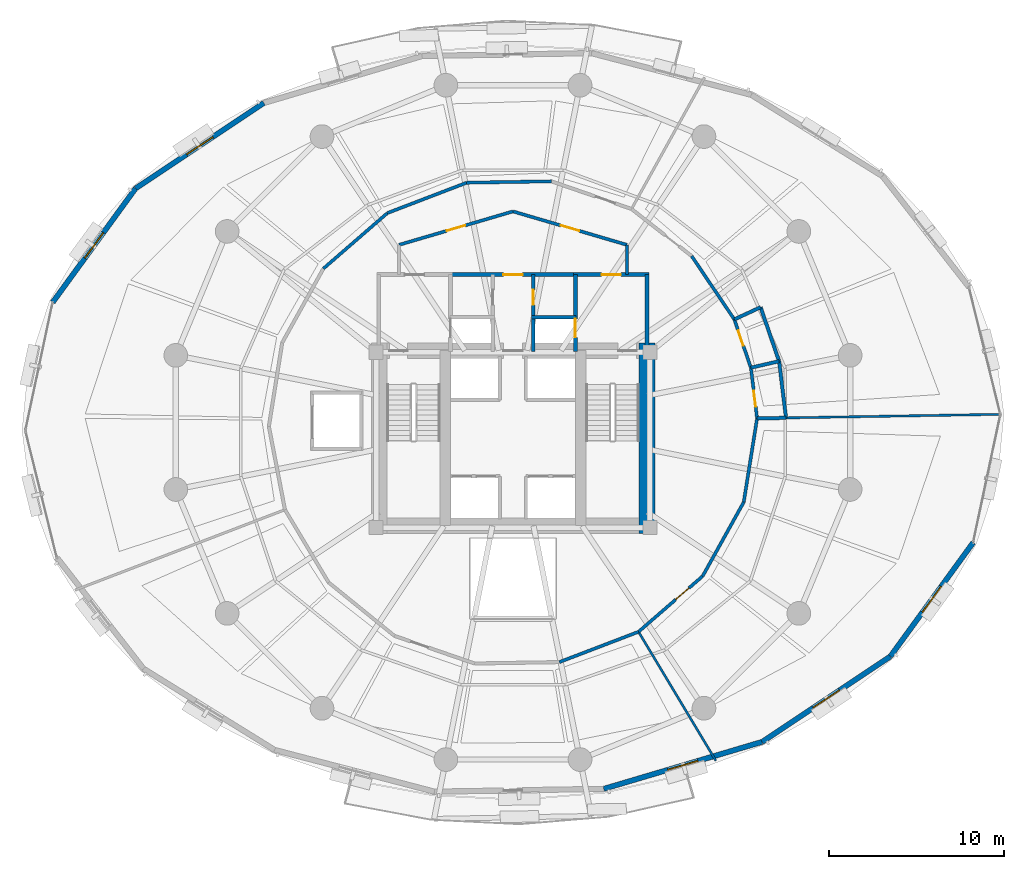
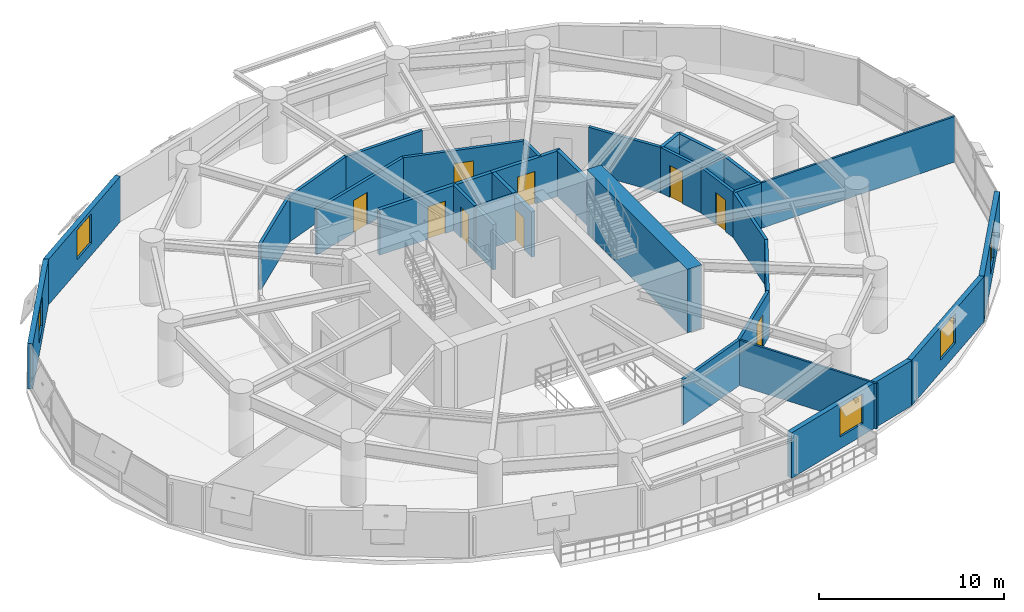
# One storey, part 13 of 17: 32 walls, 9 doors, 5 windows, 14 openings.
"""IFC4 building model written with IfcOpenShell, lengths in metres."""

from ifc_helpers import new_model, si_unit, direction, frame, frame_2d, origin, place, context, subcontext, project, spatial, rectangle, extrude, material, layer, layer_set, type_object, element, fill, save


model = new_model("IFC4")

# Units and contexts
model_context = context("Model", 3, precision=1e-05, world=origin(), true_north=direction((0.0, 1.0)))
body_context = subcontext(model_context, "Body", "Model", "MODEL_VIEW")
ifc_project = project(units=[si_unit("LENGTHUNIT", "METRE"), si_unit("AREAUNIT", "SQUARE_METRE"), si_unit("VOLUMEUNIT", "CUBIC_METRE"), si_unit("PLANEANGLEUNIT", "RADIAN"), si_unit("MASSUNIT", "GRAM", prefix="KILO"), si_unit("THERMODYNAMICTEMPERATUREUNIT", "KELVIN"), si_unit("POWERUNIT", "WATT")], contexts=[model_context])

# Site, building, storey
site_placement = place(None, origin())
site = spatial("IfcSite", under=ifc_project, at=site_placement, CompositionType="ELEMENT")
building_placement = place(site_placement, origin())
building = spatial("IfcBuilding", under=site, at=building_placement, Name="Ocrelia Relay Tower", CompositionType="ELEMENT")
storey_placement = place(building_placement, frame((0.0, 0.0, 34.199951171875)))
storey = spatial("IfcBuildingStorey", under=building, at=storey_placement, Name="L07", CompositionType="ELEMENT", Elevation=34.199951171875)

# Walls
ifc_material_1 = material(Name="Concrete C70/85", Category="concrete")
ifc_layer_1 = layer(ifc_material_1, 0.89990234375, Name="Concrete C70/85")
ifc_layer_set_1 = layer_set([ifc_layer_1], Name="Concrete C70/85")
wall_type_1 = type_object("IfcWallType", Name="CW-CORE-900", PredefinedType="SHEAR", material=ifc_layer_set_1)
wall_1_placement = place(storey_placement, frame((41.637939453125, 19.662109375, 0.0), z_axis=(0.0, 0.0, 1.0), x_axis=(0.0, 1.0, 0.0)))
element("IfcWall", 1, at=wall_1_placement, inside=storey, type_object=wall_type_1, Name="L07 Core Shear Wall E", PredefinedType="SHEAR", context=body_context, shape_type="SweptSolid", body=[
    extrude(rectangle(XDim=10.8759765625, YDim=0.89990234375, at=frame_2d((5.43798828125, 0.0))), origin(), (0.0, 0.0, 1.0), 4.199951171875),
])
ifc_material_2 = material(Name="Gypsum Fireboard Partition EI60", Category="gypsum")
ifc_layer_2 = layer(ifc_material_2, 0.179931640625, Name="Gypsum Fireboard Partition EI60")
ifc_layer_set_2 = layer_set([ifc_layer_2], Name="Gypsum Fireboard Partition EI60")
wall_type_2 = type_object("IfcWallType", Name="W-CORR-EI60-180", PredefinedType="PARTITIONING", material=ifc_layer_set_2)
wall_2_placement = place(storey_placement, frame((40.5, 36.122802734375, 0.0), z_axis=(0.0, 0.0, 1.0), x_axis=(0.0, -1.0, 0.0)))
element("IfcWall", 2, at=wall_2_placement, inside=storey, type_object=wall_type_2, Name="L07 Smoke Lobby East Return", PredefinedType="PARTITIONING", context=body_context, shape_type="SweptSolid", body=[
    extrude(rectangle(XDim=1.69287109375, YDim=0.179931640625, at=frame_2d((0.846435546875, 0.0))), origin(), (0.0, 0.0, 1.0), 3.0),
])

# Wall, opening, door
wall_3_placement = place(storey_placement, frame((27.5, 36.122802734375, 0.0), z_axis=(0.0, 0.0, 1.0), x_axis=(0.959546654541, 0.281549671923, 0.0)))
wall_3 = element("IfcWall", 3, at=wall_3_placement, inside=storey, type_object=wall_type_2, Name="L07 North Smoke Lobby W Screen Wall", PredefinedType="PARTITIONING", context=body_context, shape_type="SweptSolid", body=[
    extrude(rectangle(XDim=6.77392578125, YDim=0.179931640625, at=frame_2d((3.386962890625, 0.0))), origin(), (0.0, 0.0, 1.0), 3.0),
])
opening_1_placement = place(wall_3_placement, frame((2.8369140625, 0.0, 0.0)))
opening_1 = element("IfcOpeningElement", 4, at=opening_1_placement, cuts=wall_3, Name="Opening D-FD60", PredefinedType="OPENING", context=body_context, shape_type="SweptSolid", body=[
    extrude(rectangle(XDim=1.10009765625, YDim=2.14990234375, at=frame_2d((0.550048828125, 1.074951171875))), frame((0.0, 0.10009765625, 0.0), z_axis=(0.0, -1.0, 0.0), x_axis=(1.0, 0.0, 0.0)), (0.0, 0.0, 1.0), 0.199951171875),
])
ifc_material_3 = material(Name="Timber-core 60-min acoustic fire door", Category="wood")
door_type_1 = type_object("IfcDoorType", Name="DR-LOBBY-FD60-1100", OperationType="NOTDEFINED", PredefinedType="DOOR", material=ifc_material_3)
door_1_placement = place(opening_1_placement, origin())
door_1 = element("IfcDoor", 5, at=door_1_placement, inside=storey, type_object=door_type_1, Name="L07 North Smoke Lobby W Fire Door", OperationType="SINGLE_SWING_RIGHT", OverallHeight=2.14990234375, OverallWidth=1.10009765625, PredefinedType="DOOR", context=body_context, shape_type="SweptSolid", body=[
    extrude(rectangle(XDim=1.10009765625, YDim=2.14990234375, at=frame_2d((0.550048828125, 1.074951171875))), frame((0.0, 0.02490234375, 0.0), z_axis=(0.0, -1.0, 0.0), x_axis=(1.0, 0.0, 0.0)), (0.0, 0.0, 1.0), 0.050048828125),
])
fill(opening_1, door_1)

wall_4_placement = place(storey_placement, frame((34.0, 38.030029296875, 0.0), z_axis=(0.0, 0.0, 1.0), x_axis=(0.959546654541, -0.281549671923, 0.0)))
wall_4 = element("IfcWall", 6, at=wall_4_placement, inside=storey, type_object=wall_type_2, Name="L07 North Smoke Lobby E Screen Wall", PredefinedType="PARTITIONING", context=body_context, shape_type="SweptSolid", body=[
    extrude(rectangle(XDim=6.77392578125, YDim=0.179931640625, at=frame_2d((3.386962890625, 0.0))), origin(), (0.0, 0.0, 1.0), 3.0),
])
opening_2_placement = place(wall_4_placement, frame((2.8369140625, 0.0, 0.0)))
opening_2 = element("IfcOpeningElement", 7, at=opening_2_placement, cuts=wall_4, Name="Opening D-FD60", PredefinedType="OPENING", context=body_context, shape_type="SweptSolid", body=[
    extrude(rectangle(XDim=1.10009765625, YDim=2.14990234375, at=frame_2d((0.550048828125, 1.074951171875))), frame((0.0, 0.10009765625, 0.0), z_axis=(0.0, -1.0, 0.0), x_axis=(1.0, 0.0, 0.0)), (0.0, 0.0, 1.0), 0.199951171875),
])
door_2_placement = place(opening_2_placement, origin())
door_2 = element("IfcDoor", 8, at=door_2_placement, inside=storey, type_object=door_type_1, Name="L07 North Smoke Lobby E Fire Door", OperationType="SINGLE_SWING_LEFT", OverallHeight=2.14990234375, OverallWidth=1.10009765625, PredefinedType="DOOR", context=body_context, shape_type="SweptSolid", body=[
    extrude(rectangle(XDim=1.10009765625, YDim=2.14990234375, at=frame_2d((0.550048828125, 1.074951171875))), frame((0.0, 0.02490234375, 0.0), z_axis=(0.0, -1.0, 0.0), x_axis=(1.0, 0.0, 0.0)), (0.0, 0.0, 1.0), 0.050048828125),
])
fill(opening_2, door_2)

wall_5_placement = place(storey_placement, frame((47.918212890625, 26.230712890625, 0.0), z_axis=(0.0, 0.0, 1.0), x_axis=(-0.121060424007, 0.992645139886, 0.0)))
wall_5 = element("IfcWall", 9, at=wall_5_placement, inside=storey, type_object=wall_type_2, Name="L07 Staff Toilet Corridor Wall", PredefinedType="PARTITIONING", context=body_context, shape_type="SweptSolid", body=[
    extrude(rectangle(XDim=2.91015625, YDim=0.179931640625, at=frame_2d((1.455078125, 0.0))), origin(), (0.0, 0.0, 1.0), 3.0),
])
opening_3_placement = place(wall_5_placement, frame((0.6689453125, 0.0, 0.0)))
opening_3 = element("IfcOpeningElement", 10, at=opening_3_placement, cuts=wall_5, Name="Opening D-WC92", PredefinedType="OPENING", context=body_context, shape_type="SweptSolid", body=[
    extrude(rectangle(XDim=0.919921875, YDim=2.10009765625, at=frame_2d((0.4599609375, 1.050048828125))), frame((0.0, 0.10009765625, 0.0), z_axis=(0.0, -1.0, 0.0), x_axis=(1.0, 0.0, 0.0)), (0.0, 0.0, 1.0), 0.199951171875),
])
ifc_material_4 = material(Name="Laminate washroom door", Category="wood")
door_type_2 = type_object("IfcDoorType", Name="DR-WC-920", OperationType="NOTDEFINED", PredefinedType="DOOR", material=ifc_material_4)
door_3_placement = place(opening_3_placement, origin())
door_3 = element("IfcDoor", 11, at=door_3_placement, inside=storey, type_object=door_type_2, Name="L07 Staff Toilet Door", OperationType="SINGLE_SWING_RIGHT", OverallHeight=2.10009765625, OverallWidth=0.919921875, PredefinedType="DOOR", context=body_context, shape_type="SweptSolid", body=[
    extrude(rectangle(XDim=0.919921875, YDim=2.10009765625, at=frame_2d((0.4599609375, 1.050048828125))), frame((0.0, 0.02490234375, 0.0), z_axis=(0.0, -1.0, 0.0), x_axis=(1.0, 0.0, 0.0)), (0.0, 0.0, 1.0), 0.050048828125),
])
fill(opening_3, door_3)

wall_6_placement = place(storey_placement, frame((47.56591796875, 29.119384765625, 0.0), z_axis=(0.0, 0.0, 1.0), x_axis=(-0.324746817111, 0.945800985819, 0.0)))
wall_6 = element("IfcWall", 12, at=wall_6_placement, inside=storey, type_object=wall_type_2, Name="L07 Accessible Toilet Corridor Wall", PredefinedType="PARTITIONING", context=body_context, shape_type="SweptSolid", body=[
    extrude(rectangle(XDim=2.91015625, YDim=0.179931640625, at=frame_2d((1.455078125, 0.0))), origin(), (0.0, 0.0, 1.0), 3.0),
])
opening_4_placement = place(wall_6_placement, frame((1.321044921875, 0.0, 0.0)))
opening_4 = element("IfcOpeningElement", 13, at=opening_4_placement, cuts=wall_6, Name="Opening D-WC92", PredefinedType="OPENING", context=body_context, shape_type="SweptSolid", body=[
    extrude(rectangle(XDim=0.919921875, YDim=2.10009765625, at=frame_2d((0.4599609375, 1.050048828125))), frame((0.0, 0.10009765625, 0.0), z_axis=(0.0, -1.0, 0.0), x_axis=(1.0, 0.0, 0.0)), (0.0, 0.0, 1.0), 0.199951171875),
])
door_4_placement = place(opening_4_placement, origin())
door_4 = element("IfcDoor", 14, at=door_4_placement, inside=storey, type_object=door_type_2, Name="L07 Accessible Toilet Door", OperationType="SINGLE_SWING_LEFT", OverallHeight=2.10009765625, OverallWidth=0.919921875, PredefinedType="DOOR", context=body_context, shape_type="SweptSolid", body=[
    extrude(rectangle(XDim=0.919921875, YDim=2.10009765625, at=frame_2d((0.4599609375, 1.050048828125))), frame((0.0, 0.02490234375, 0.0), z_axis=(0.0, -1.0, 0.0), x_axis=(1.0, 0.0, 0.0)), (0.0, 0.0, 1.0), 0.050048828125),
])
fill(opening_4, door_4)

# Walls
wall_7_placement = place(storey_placement, frame((46.620849609375, 31.871826171875, 0.0), z_axis=(0.0, 0.0, 1.0), x_axis=(-0.558446106931, 0.829540804092, 0.0)))
element("IfcWall", 15, at=wall_7_placement, inside=storey, type_object=wall_type_2, Name="L07 Operations Control Office Corridor Partition 1", PredefinedType="PARTITIONING", context=body_context, shape_type="SweptSolid", body=[
    extrude(rectangle(XDim=4.355224609375, YDim=0.179931640625, at=frame_2d((2.177734375, 0.0))), origin(), (0.0, 0.0, 1.0), 3.0),
])
for number, where, z_axis, x_axis, name in (
    (16, (36.189697265625, 39.74658203125, 0.0), (0.0, 0.0, 1.0), (-0.99986280389, -0.016564220399, 0.0), "L07 Colocation Data Hall A Corridor Partition 2"),
    (17, (31.35595703125, 39.66650390625, 0.0), (0.0, 0.0, 1.0), (-0.93389765602, -0.35754044258, 0.0), "L07 Colocation Data Hall A Corridor Partition 3"),
    (18, (26.841064453125, 37.93798828125, 0.0), (0.0, 0.0, 1.0), (-0.75528570448, -0.655395685527, 0.0), "L07 Colocation Data Hall A Corridor Partition 4"),
    (19, (36.64404296875, 12.33349609375, 0.0), (0.0, 0.0, 1.0), (0.93389765602, 0.35754044258, 0.0), "L07 Hardware Testing Laboratory Corridor Partition 5"),
):
    element("IfcWall", number, at=place(storey_placement, frame(where, z_axis=z_axis, x_axis=x_axis)), inside=storey, type_object=wall_type_2, Name=name, PredefinedType="PARTITIONING", context=body_context, shape_type="SweptSolid", body=[
        extrude(rectangle(XDim=4.83447265625, YDim=0.179931640625, at=frame_2d((2.417236328125, 0.0))), origin(), (0.0, 0.0, 1.0), 3.0),
    ])

# Wall, opening, door
wall_8_placement = place(storey_placement, frame((41.158935546875, 14.06201171875, 0.0), z_axis=(0.0, 0.0, 1.0), x_axis=(0.75528570448, 0.655395685527, 0.0)))
wall_8 = element("IfcWall", 20, at=wall_8_placement, inside=storey, type_object=wall_type_2, Name="L07 Telemetry Operations Studio Corridor Partition 1", PredefinedType="PARTITIONING", context=body_context, shape_type="SweptSolid", body=[
    extrude(rectangle(XDim=4.83447265625, YDim=0.179931640625, at=frame_2d((2.417236328125, 0.0))), origin(), (0.0, 0.0, 1.0), 3.0),
])
opening_5_placement = place(wall_8_placement, frame((2.80078125, 0.0, 0.0)))
opening_5 = element("IfcOpeningElement", 21, at=opening_5_placement, cuts=wall_8, Name="Opening D-RM100", PredefinedType="OPENING", context=body_context, shape_type="SweptSolid", body=[
    extrude(rectangle(XDim=1.0, YDim=2.14990234375, at=frame_2d((0.5, 1.074951171875))), frame((0.0, 0.10009765625, 0.0), z_axis=(0.0, -1.0, 0.0), x_axis=(1.0, 0.0, 0.0)), (0.0, 0.0, 1.0), 0.199951171875),
])
ifc_material_5 = material(Name="Acoustic oak veneer fire door", Category="wood")
door_type_3 = type_object("IfcDoorType", Name="DR-ROOM-FD60-1000", OperationType="NOTDEFINED", PredefinedType="DOOR", material=ifc_material_5)
door_5_placement = place(opening_5_placement, origin())
door_5 = element("IfcDoor", 22, at=door_5_placement, inside=storey, type_object=door_type_3, Name="L07 Telemetry Operations Studio Entrance Door", OperationType="SINGLE_SWING_LEFT", OverallHeight=2.14990234375, OverallWidth=1.0, PredefinedType="DOOR", context=body_context, shape_type="SweptSolid", body=[
    extrude(rectangle(XDim=1.0, YDim=2.14990234375, at=frame_2d((0.5, 1.074951171875))), frame((0.0, 0.02490234375, 0.0), z_axis=(0.0, -1.0, 0.0), x_axis=(1.0, 0.0, 0.0)), (0.0, 0.0, 1.0), 0.050048828125),
])
fill(opening_5, door_5)

# Walls
wall_9_placement = place(storey_placement, frame((44.810302734375, 17.23046875, 0.0), z_axis=(0.0, 0.0, 1.0), x_axis=(0.48557861103, 0.874193006441, 0.0)))
element("IfcWall", 23, at=wall_9_placement, inside=storey, type_object=wall_type_2, Name="L07 Telemetry Operations Studio Corridor Partition 2", PredefinedType="PARTITIONING", context=body_context, shape_type="SweptSolid", body=[
    extrude(rectangle(XDim=4.834228515625, YDim=0.179931640625, at=frame_2d((2.4169921875, 0.0))), origin(), (0.0, 0.0, 1.0), 3.0),
])
wall_10_placement = place(storey_placement, frame((47.15771484375, 21.45654296875, 0.0), z_axis=(0.0, 0.0, 1.0), x_axis=(0.15731094414, 0.987549121236, 0.0)))
element("IfcWall", 24, at=wall_10_placement, inside=storey, type_object=wall_type_2, Name="L07 Telemetry Operations Studio Corridor Partition 3", PredefinedType="PARTITIONING", context=body_context, shape_type="SweptSolid", body=[
    extrude(rectangle(XDim=4.83447265625, YDim=0.179931640625, at=frame_2d((2.417236328125, 0.0))), origin(), (0.0, 0.0, 1.0), 3.0),
])

# Wall, opening, window
ifc_material_6 = material(Name="Precast concrete C40/50 with oxide terracotta", Category="masonry")
ifc_layer_3 = layer(ifc_material_6, 0.300048828125, Name="Precast concrete C40/50 with oxide terracotta")
ifc_layer_set_3 = layer_set([ifc_layer_3], Name="Precast concrete C40/50 with oxide terracotta")
wall_type_3 = type_object("IfcWallType", Name="W-EXT-TERR-300", PredefinedType="SOLIDWALL", material=ifc_layer_set_3)
wall_11_placement = place(storey_placement, frame((19.796142578125, 44.21337890625, 0.0), z_axis=(0.0, 0.0, 1.0), x_axis=(-0.832075923979, -0.554661749839, 0.0)))
wall_11 = element("IfcWall", 25, at=wall_11_placement, inside=storey, type_object=wall_type_3, Name="L07 Oxide Terracotta Facade Wall 07", PredefinedType="SOLIDWALL", context=body_context, shape_type="SweptSolid", body=[
    extrude(rectangle(XDim=8.792724609375, YDim=0.300048828125, at=frame_2d((4.396484375, 0.0))), origin(), (0.0, 0.0, 1.0), 3.0),
])
opening_6_placement = place(wall_11_placement, frame((3.49609375, 0.0, 0.800048828125)))
opening_6 = element("IfcOpeningElement", 26, at=opening_6_placement, cuts=wall_11, Name="Opening W-02", PredefinedType="OPENING", context=body_context, shape_type="SweptSolid", body=[
    extrude(rectangle(XDim=1.800048828125, YDim=1.949951171875, at=frame_2d((0.89990234375, 0.97509765625))), frame((0.0, 0.16015625, 0.0), z_axis=(0.0, -1.0, 0.0), x_axis=(1.0, 0.0, 0.0)), (0.0, 0.0, 1.0), 0.320068359375),
])
ifc_material_7 = material(Name="Clear double-glazed low-E glass", Category="glass")
window_type = type_object("IfcWindowType", Name="WIN-Z1-1800x2100", PartitioningType="DOUBLE_PANEL_VERTICAL", PredefinedType="WINDOW", material=ifc_material_7)
window_1_placement = place(opening_6_placement, origin())
window_1 = element("IfcWindow", 27, at=window_1_placement, inside=storey, type_object=window_type, Name="L07 Facade Module Window 07", OverallHeight=1.949951171875, OverallWidth=1.800048828125, PartitioningType="SINGLE_PANEL", PredefinedType="WINDOW", context=body_context, shape_type="SweptSolid", body=[
    extrude(rectangle(XDim=1.800048828125, YDim=1.949951171875, at=frame_2d((0.89990234375, 0.97509765625))), frame((0.0, 0.030029296875, 0.0), z_axis=(0.0, -1.0, 0.0), x_axis=(1.0, 0.0, 0.0)), (0.0, 0.0, 1.0), 0.06005859375),
])
fill(opening_6, window_1)

wall_12_placement = place(storey_placement, frame((12.47998046875, 39.33642578125, 0.0), z_axis=(0.0, 0.0, 1.0), x_axis=(-0.588470254448, -0.808518867826, 0.0)))
wall_12 = element("IfcWall", 28, at=wall_12_placement, inside=storey, type_object=wall_type_3, Name="L07 Oxide Terracotta Facade Wall 08", PredefinedType="SOLIDWALL", context=body_context, shape_type="SweptSolid", body=[
    extrude(rectangle(XDim=8.021484375, YDim=0.300048828125, at=frame_2d((4.0107421875, 0.0))), origin(), (0.0, 0.0, 1.0), 3.0),
])
opening_7_placement = place(wall_12_placement, frame((3.111083984375, 0.0, 0.800048828125)))
opening_7 = element("IfcOpeningElement", 29, at=opening_7_placement, cuts=wall_12, Name="Opening W-02", PredefinedType="OPENING", context=body_context, shape_type="SweptSolid", body=[
    extrude(rectangle(XDim=1.800048828125, YDim=1.949951171875, at=frame_2d((0.89990234375, 0.97509765625))), frame((0.0, 0.16015625, 0.0), z_axis=(0.0, -1.0, 0.0), x_axis=(1.0, 0.0, 0.0)), (0.0, 0.0, 1.0), 0.320068359375),
])
window_2_placement = place(opening_7_placement, origin())
window_2 = element("IfcWindow", 30, at=window_2_placement, inside=storey, type_object=window_type, Name="L07 Facade Module Window 08", OverallHeight=1.949951171875, OverallWidth=1.800048828125, PartitioningType="SINGLE_PANEL", PredefinedType="WINDOW", context=body_context, shape_type="SweptSolid", body=[
    extrude(rectangle(XDim=1.800048828125, YDim=1.949951171875, at=frame_2d((0.89990234375, 0.97509765625))), frame((0.0, 0.030029296875, 0.0), z_axis=(0.0, -1.0, 0.0), x_axis=(1.0, 0.0, 0.0)), (0.0, 0.0, 1.0), 0.06005859375),
])
fill(opening_7, window_2)

wall_13_placement = place(storey_placement, frame((39.174560546875, 5.1064453125, 0.0), z_axis=(0.0, 0.0, 1.0), x_axis=(0.958658357461, 0.284559578418, 0.0)))
wall_13 = element("IfcWall", 31, at=wall_13_placement, inside=storey, type_object=wall_type_3, Name="L07 Oxide Terracotta Facade Wall 15", PredefinedType="SOLIDWALL", context=body_context, shape_type="SweptSolid", body=[
    extrude(rectangle(XDim=9.418701171875, YDim=0.300048828125, at=frame_2d((4.70947265625, 0.0))), origin(), (0.0, 0.0, 1.0), 3.0),
])
opening_8_placement = place(wall_13_placement, frame((3.80908203125, 0.0, 0.800048828125)))
opening_8 = element("IfcOpeningElement", 32, at=opening_8_placement, cuts=wall_13, Name="Opening W-02", PredefinedType="OPENING", context=body_context, shape_type="SweptSolid", body=[
    extrude(rectangle(XDim=1.800048828125, YDim=1.949951171875, at=frame_2d((0.89990234375, 0.97509765625))), frame((0.0, 0.16015625, 0.0), z_axis=(0.0, -1.0, 0.0), x_axis=(1.0, 0.0, 0.0)), (0.0, 0.0, 1.0), 0.320068359375),
])
window_3_placement = place(opening_8_placement, origin())
window_3 = element("IfcWindow", 33, at=window_3_placement, inside=storey, type_object=window_type, Name="L07 Facade Module Window 15", OverallHeight=1.949951171875, OverallWidth=1.800048828125, PartitioningType="SINGLE_PANEL", PredefinedType="WINDOW", context=body_context, shape_type="SweptSolid", body=[
    extrude(rectangle(XDim=1.800048828125, YDim=1.949951171875, at=frame_2d((0.89990234375, 0.97509765625))), frame((0.0, 0.030029296875, 0.0), z_axis=(0.0, -1.0, 0.0), x_axis=(1.0, 0.0, 0.0)), (0.0, 0.0, 1.0), 0.06005859375),
])
fill(opening_8, window_3)

wall_14_placement = place(storey_placement, frame((48.203857421875, 7.78662109375, 0.0), z_axis=(0.0, 0.0, 1.0), x_axis=(0.832075923979, 0.554661749839, 0.0)))
wall_14 = element("IfcWall", 34, at=wall_14_placement, inside=storey, type_object=wall_type_3, Name="L07 Oxide Terracotta Facade Wall 16", PredefinedType="SOLIDWALL", context=body_context, shape_type="SweptSolid", body=[
    extrude(rectangle(XDim=8.792724609375, YDim=0.300048828125, at=frame_2d((4.396484375, 0.0))), origin(), (0.0, 0.0, 1.0), 3.0),
])
opening_9_placement = place(wall_14_placement, frame((3.49609375, 0.0, 0.800048828125)))
opening_9 = element("IfcOpeningElement", 35, at=opening_9_placement, cuts=wall_14, Name="Opening W-02", PredefinedType="OPENING", context=body_context, shape_type="SweptSolid", body=[
    extrude(rectangle(XDim=1.800048828125, YDim=1.949951171875, at=frame_2d((0.89990234375, 0.97509765625))), frame((0.0, 0.16015625, 0.0), z_axis=(0.0, -1.0, 0.0), x_axis=(1.0, 0.0, 0.0)), (0.0, 0.0, 1.0), 0.320068359375),
])
window_4_placement = place(opening_9_placement, origin())
window_4 = element("IfcWindow", 36, at=window_4_placement, inside=storey, type_object=window_type, Name="L07 Facade Module Window 16", OverallHeight=1.949951171875, OverallWidth=1.800048828125, PartitioningType="SINGLE_PANEL", PredefinedType="WINDOW", context=body_context, shape_type="SweptSolid", body=[
    extrude(rectangle(XDim=1.800048828125, YDim=1.949951171875, at=frame_2d((0.89990234375, 0.97509765625))), frame((0.0, 0.030029296875, 0.0), z_axis=(0.0, -1.0, 0.0), x_axis=(1.0, 0.0, 0.0)), (0.0, 0.0, 1.0), 0.06005859375),
])
fill(opening_9, window_4)

wall_15_placement = place(storey_placement, frame((55.52001953125, 12.66357421875, 0.0), z_axis=(0.0, 0.0, 1.0), x_axis=(0.588470254448, 0.808518867826, 0.0)))
wall_15 = element("IfcWall", 37, at=wall_15_placement, inside=storey, type_object=wall_type_3, Name="L07 Oxide Terracotta Facade Wall 17", PredefinedType="SOLIDWALL", context=body_context, shape_type="SweptSolid", body=[
    extrude(rectangle(XDim=8.021484375, YDim=0.300048828125, at=frame_2d((4.0107421875, 0.0))), origin(), (0.0, 0.0, 1.0), 3.0),
])
opening_10_placement = place(wall_15_placement, frame((3.111083984375, 0.0, 0.800048828125)))
opening_10 = element("IfcOpeningElement", 38, at=opening_10_placement, cuts=wall_15, Name="Opening W-02", PredefinedType="OPENING", context=body_context, shape_type="SweptSolid", body=[
    extrude(rectangle(XDim=1.800048828125, YDim=1.949951171875, at=frame_2d((0.89990234375, 0.97509765625))), frame((0.0, 0.16015625, 0.0), z_axis=(0.0, -1.0, 0.0), x_axis=(1.0, 0.0, 0.0)), (0.0, 0.0, 1.0), 0.320068359375),
])
window_5_placement = place(opening_10_placement, origin())
window_5 = element("IfcWindow", 39, at=window_5_placement, inside=storey, type_object=window_type, Name="L07 Facade Module Window 17", OverallHeight=1.949951171875, OverallWidth=1.800048828125, PartitioningType="SINGLE_PANEL", PredefinedType="WINDOW", context=body_context, shape_type="SweptSolid", body=[
    extrude(rectangle(XDim=1.800048828125, YDim=1.949951171875, at=frame_2d((0.89990234375, 0.97509765625))), frame((0.0, 0.030029296875, 0.0), z_axis=(0.0, -1.0, 0.0), x_axis=(1.0, 0.0, 0.0)), (0.0, 0.0, 1.0), 0.06005859375),
])
fill(opening_10, window_5)

# Wall, opening, door
ifc_material_8 = material(Name="Concrete C50/60", Category="concrete")
ifc_layer_4 = layer(ifc_material_8, 0.219970703125, Name="Concrete C50/60")
ifc_layer_set_4 = layer_set([ifc_layer_4], Name="Concrete C50/60")
wall_type_4 = type_object("IfcWallType", Name="W-FFL-EI120-220", PredefinedType="SOLIDWALL", material=ifc_layer_set_4)
wall_16_placement = place(storey_placement, frame((37.56005859375, 30.050048828125, 0.0), z_axis=(0.0, 0.0, 1.0), x_axis=(0.0, 1.0, 0.0)))
wall_16 = element("IfcWall", 40, at=wall_16_placement, inside=storey, type_object=wall_type_4, Name="L07 E Fire Service Lift Lobby West Wall", PredefinedType="SOLIDWALL", context=body_context, shape_type="SweptSolid", body=[
    extrude(rectangle(XDim=4.3798828125, YDim=0.219970703125, at=frame_2d((2.18994140625, 0.0))), origin(), (0.0, 0.0, 1.0), 3.0),
])
opening_11_placement = place(wall_16_placement, frame((0.800048828125, 0.0, 0.0)))
opening_11 = element("IfcOpeningElement", 41, at=opening_11_placement, cuts=wall_16, Name="Opening LD-FFL2", PredefinedType="OPENING", context=body_context, shape_type="SweptSolid", body=[
    extrude(rectangle(XDim=1.050048828125, YDim=2.10009765625, at=frame_2d((0.52490234375, 1.050048828125))), frame((0.0, 0.1201171875, 0.0), z_axis=(0.0, -1.0, 0.0), x_axis=(1.0, 0.0, 0.0)), (0.0, 0.0, 1.0), 0.239990234375),
])
ifc_material_9 = material(Name="Brushed stainless steel S355 lift landing door", Category="steel")
door_type_4 = type_object("IfcDoorType", Name="DR-LIFT-LAND-1050", OperationType="DOUBLE_DOOR_SLIDING", PredefinedType="USERDEFINED", material=ifc_material_9)
door_6_placement = place(opening_11_placement, origin())
door_6 = element("IfcDoor", 42, at=door_6_placement, inside=storey, type_object=door_type_4, Name="L07 Firefighting Lift FFL2 Sliding Landing Door", ObjectType="LANDING DOOR", OperationType="DOUBLE_DOOR_SLIDING", OverallHeight=2.10009765625, OverallWidth=1.050048828125, PredefinedType="USERDEFINED", context=body_context, shape_type="SweptSolid", body=[
    extrude(rectangle(XDim=1.050048828125, YDim=2.10009765625, at=frame_2d((0.52490234375, 1.050048828125))), frame((0.0, 0.02490234375, 0.0), z_axis=(0.0, -1.0, 0.0), x_axis=(1.0, 0.0, 0.0)), (0.0, 0.0, 1.0), 0.050048828125),
])
fill(opening_11, door_6)

# Wall
wall_17_placement = place(storey_placement, frame((41.64990234375, 30.050048828125, 0.0), z_axis=(0.0, 0.0, 1.0), x_axis=(0.0, 1.0, 0.0)))
element("IfcWall", 43, at=wall_17_placement, inside=storey, type_object=wall_type_4, Name="L07 E Fire Service Lift Lobby East Wall", PredefinedType="SOLIDWALL", context=body_context, shape_type="SweptSolid", body=[
    extrude(rectangle(XDim=4.3798828125, YDim=0.219970703125, at=frame_2d((2.18994140625, 0.0))), origin(), (0.0, 0.0, 1.0), 3.0),
])

# Wall, opening, door
wall_18_placement = place(storey_placement, frame((37.449951171875, 34.429931640625, 0.0), z_axis=(0.0, 0.0, 1.0), x_axis=(1.0, 0.0, 0.0)))
wall_18 = element("IfcWall", 44, at=wall_18_placement, inside=storey, type_object=wall_type_4, Name="L07 E Fire Service Lift Lobby North Wall", PredefinedType="SOLIDWALL", context=body_context, shape_type="SweptSolid", body=[
    extrude(rectangle(XDim=4.31005859375, YDim=0.219970703125, at=frame_2d((2.155029296875, 0.0))), origin(), (0.0, 0.0, 1.0), 3.0),
])
opening_12_placement = place(wall_18_placement, frame((1.60009765625, 0.0, 0.0)))
opening_12 = element("IfcOpeningElement", 45, at=opening_12_placement, cuts=wall_18, Name="Opening D-FD60", PredefinedType="OPENING", context=body_context, shape_type="SweptSolid", body=[
    extrude(rectangle(XDim=1.10009765625, YDim=2.14990234375, at=frame_2d((0.550048828125, 1.074951171875))), frame((0.0, 0.1201171875, 0.0), z_axis=(0.0, -1.0, 0.0), x_axis=(1.0, 0.0, 0.0)), (0.0, 0.0, 1.0), 0.239990234375),
])
door_7_placement = place(opening_12_placement, origin())
door_7 = element("IfcDoor", 46, at=door_7_placement, inside=storey, type_object=door_type_1, Name="L07 E Fire Service Lift Lobby Exit Door", OperationType="SINGLE_SWING_LEFT", OverallHeight=2.14990234375, OverallWidth=1.10009765625, PredefinedType="DOOR", context=body_context, shape_type="SweptSolid", body=[
    extrude(rectangle(XDim=1.10009765625, YDim=2.14990234375, at=frame_2d((0.550048828125, 1.074951171875))), frame((0.0, 0.02490234375, 0.0), z_axis=(0.0, -1.0, 0.0), x_axis=(1.0, 0.0, 0.0)), (0.0, 0.0, 1.0), 0.050048828125),
])
fill(opening_12, door_7)

wall_19_placement = place(storey_placement, frame((30.43994140625, 34.429931640625, 0.0), z_axis=(0.0, 0.0, 1.0), x_axis=(1.0, 0.0, 0.0)))
wall_19 = element("IfcWall", 47, at=wall_19_placement, inside=storey, type_object=wall_type_4, Name="L07 North Core Vestibule Wall", PredefinedType="SOLIDWALL", context=body_context, shape_type="SweptSolid", body=[
    extrude(rectangle(XDim=7.1201171875, YDim=0.219970703125, at=frame_2d((3.56005859375, 0.0))), origin(), (0.0, 0.0, 1.0), 3.0),
])
opening_13_placement = place(wall_19_placement, frame((3.010009765625, 0.0, 0.0)))
opening_13 = element("IfcOpeningElement", 48, at=opening_13_placement, cuts=wall_19, Name="Opening D-FD60", PredefinedType="OPENING", context=body_context, shape_type="SweptSolid", body=[
    extrude(rectangle(XDim=1.10009765625, YDim=2.14990234375, at=frame_2d((0.550048828125, 1.074951171875))), frame((0.0, 0.1201171875, 0.0), z_axis=(0.0, -1.0, 0.0), x_axis=(1.0, 0.0, 0.0)), (0.0, 0.0, 1.0), 0.239990234375),
])
door_8_placement = place(opening_13_placement, origin())
door_8 = element("IfcDoor", 49, at=door_8_placement, inside=storey, type_object=door_type_1, Name="L07 North Core Vestibule Corridor Door", OperationType="SINGLE_SWING_LEFT", OverallHeight=2.14990234375, OverallWidth=1.10009765625, PredefinedType="DOOR", context=body_context, shape_type="SweptSolid", body=[
    extrude(rectangle(XDim=1.10009765625, YDim=2.14990234375, at=frame_2d((0.550048828125, 1.074951171875))), frame((0.0, 0.02490234375, 0.0), z_axis=(0.0, -1.0, 0.0), x_axis=(1.0, 0.0, 0.0)), (0.0, 0.0, 1.0), 0.050048828125),
])
fill(opening_13, door_8)

# Walls
ifc_material_10 = material(Name="Acoustic Fireboard Partition EI60", Category="gypsum")
ifc_layer_5 = layer(ifc_material_10, 0.125, Name="Acoustic Fireboard Partition EI60")
ifc_layer_set_5 = layer_set([ifc_layer_5], Name="Acoustic Fireboard Partition EI60")
wall_type_5 = type_object("IfcWallType", Name="W-PART-125", PredefinedType="PARTITIONING", material=ifc_layer_set_5)
wall_20_placement = place(storey_placement, frame((49.56787109375, 26.258056640625, 0.0), z_axis=(0.0, 0.0, 1.0), x_axis=(0.999862395587, 0.016588848418, 0.0)))
element("IfcWall", 50, at=wall_20_placement, inside=storey, type_object=wall_type_5, Name="L07 Operations Control Office Radial Partition", PredefinedType="PARTITIONING", context=body_context, shape_type="SweptSolid", body=[
    extrude(rectangle(XDim=12.22998046875, YDim=0.125, at=frame_2d((6.114990234375, 0.0))), origin(), (0.0, 0.0, 1.0), 3.0),
])
wall_21_placement = place(storey_placement, frame((41.158935546875, 14.06201171875, 0.0), z_axis=(0.0, 0.0, 1.0), x_axis=(0.51429890301, -0.857611006437, 0.0)))
element("IfcWall", 51, at=wall_21_placement, inside=storey, type_object=wall_type_5, Name="L07 Hardware Testing Laboratory Radial Partition", PredefinedType="PARTITIONING", context=body_context, shape_type="SweptSolid", body=[
    extrude(rectangle(XDim=8.57275390625, YDim=0.125, at=frame_2d((4.286376953125, 0.0))), origin(), (0.0, 0.0, 1.0), 3.0),
])
ifc_material_11 = material(Name="Moisture-Resistant Fireboard Chase Wall EI60", Category="gypsum")
ifc_layer_6 = layer(ifc_material_11, 0.199951171875, Name="Moisture-Resistant Fireboard Chase Wall EI60")
ifc_layer_set_6 = layer_set([ifc_layer_6], Name="Moisture-Resistant Fireboard Chase Wall EI60")
wall_type_6 = type_object("IfcWallType", Name="W-PLUMB-200", PredefinedType="PLUMBINGWALL", material=ifc_layer_set_6)
wall_22_placement = place(storey_placement, frame((47.918212890625, 26.230712890625, 0.0), z_axis=(0.0, 0.0, 1.0), x_axis=(0.999862656303, 0.016573126758, 0.0)))
element("IfcWall", 52, at=wall_22_placement, inside=storey, type_object=wall_type_6, Name="L07 Staff Toilet Plumbing Radial Wall", PredefinedType="PLUMBINGWALL", context=body_context, shape_type="SweptSolid", body=[
    extrude(rectangle(XDim=1.64990234375, YDim=0.199951171875, at=frame_2d((0.824951171875, 0.0))), origin(), (0.0, 0.0, 1.0), 3.0),
])
wall_23_placement = place(storey_placement, frame((47.56591796875, 29.119384765625, 0.0), z_axis=(0.0, 0.0, 1.0), x_axis=(0.974555509805, 0.224146287742, 0.0)))
element("IfcWall", 53, at=wall_23_placement, inside=storey, type_object=wall_type_6, Name="L07 Staff Toilet Plumbing Radial Wall", PredefinedType="PLUMBINGWALL", context=body_context, shape_type="SweptSolid", body=[
    extrude(rectangle(XDim=1.650146484375, YDim=0.199951171875, at=frame_2d((0.8251953125, 0.0))), origin(), (0.0, 0.0, 1.0), 3.0),
])
wall_24_placement = place(storey_placement, frame((49.56787109375, 26.258056640625, 0.0), z_axis=(0.0, 0.0, 1.0), x_axis=(-0.120978669263, 0.992655107066, 0.0)))
element("IfcWall", 54, at=wall_24_placement, inside=storey, type_object=wall_type_6, Name="L07 Staff Toilet Back Plumbing Wall", PredefinedType="PLUMBINGWALL", context=body_context, shape_type="SweptSolid", body=[
    extrude(rectangle(XDim=3.255126953125, YDim=0.199951171875, at=frame_2d((1.62744140625, 0.0))), origin(), (0.0, 0.0, 1.0), 3.0),
])
wall_25_placement = place(storey_placement, frame((46.620849609375, 31.871826171875, 0.0), z_axis=(0.0, 0.0, 1.0), x_axis=(0.9066776872, 0.421824100229, 0.0)))
element("IfcWall", 55, at=wall_25_placement, inside=storey, type_object=wall_type_6, Name="L07 Accessible Toilet Plumbing Radial Wall", PredefinedType="PLUMBINGWALL", context=body_context, shape_type="SweptSolid", body=[
    extrude(rectangle(XDim=1.650146484375, YDim=0.199951171875, at=frame_2d((0.8251953125, 0.0))), origin(), (0.0, 0.0, 1.0), 3.0),
])
wall_26_placement = place(storey_placement, frame((49.174072265625, 29.4892578125, 0.0), z_axis=(0.0, 0.0, 1.0), x_axis=(-0.324765325225, 0.945794630737, 0.0)))
element("IfcWall", 56, at=wall_26_placement, inside=storey, type_object=wall_type_6, Name="L07 Accessible Toilet Back Plumbing Wall", PredefinedType="PLUMBINGWALL", context=body_context, shape_type="SweptSolid", body=[
    extrude(rectangle(XDim=3.255126953125, YDim=0.199951171875, at=frame_2d((1.62744140625, 0.0))), origin(), (0.0, 0.0, 1.0), 3.0),
])
ifc_layer_7 = layer(ifc_material_8, 0.199951171875, Name="Concrete C50/60")
ifc_layer_set_7 = layer_set([ifc_layer_7], Name="Concrete C50/60")
wall_type_7 = type_object("IfcWallType", Name="W-SHAFT-EI120-200", PredefinedType="SOLIDWALL", material=ifc_layer_set_7)
wall_27_placement = place(storey_placement, frame((35.050048828125, 32.0, 0.0), z_axis=(0.0, 0.0, 1.0), x_axis=(1.0, 0.0, 0.0)))
element("IfcWall", 57, at=wall_27_placement, inside=storey, type_object=wall_type_7, Name="L07 FFL2 Hoistway North Wall", PredefinedType="SOLIDWALL", context=body_context, shape_type="SweptSolid", body=[
    extrude(rectangle(XDim=2.550048828125, YDim=0.199951171875, at=frame_2d((1.27490234375, 0.0))), origin(), (0.0, 0.0, 1.0), 3.0),
])

# Wall, opening, door
wall_28_placement = place(storey_placement, frame((35.14990234375, 30.050048828125, 0.0), z_axis=(0.0, 0.0, 1.0), x_axis=(0.0, 1.0, 0.0)))
wall_28 = element("IfcWall", 58, at=wall_28_placement, inside=storey, type_object=wall_type_7, Name="L07 FFL2 and Service Vestibule Wall", PredefinedType="SOLIDWALL", context=body_context, shape_type="SweptSolid", body=[
    extrude(rectangle(XDim=4.3798828125, YDim=0.199951171875, at=frame_2d((2.18994140625, 0.0))), origin(), (0.0, 0.0, 1.0), 3.0),
])
opening_14_placement = place(wall_28_placement, frame((2.64990234375, 0.0, 0.0)))
opening_14 = element("IfcOpeningElement", 59, at=opening_14_placement, cuts=wall_28, Name="Opening D-RS86", PredefinedType="OPENING", context=body_context, shape_type="SweptSolid", body=[
    extrude(rectangle(XDim=0.860107421875, YDim=2.050048828125, at=frame_2d((0.43017578125, 1.02490234375))), frame((0.0, 0.10986328125, 0.0), z_axis=(0.0, -1.0, 0.0), x_axis=(1.0, 0.0, 0.0)), (0.0, 0.0, 1.0), 0.219970703125),
])
ifc_material_12 = material(Name="Steel S355 riser access fire door", Category="steel")
door_type_5 = type_object("IfcDoorType", Name="DR-RISER-TRAP-860", OperationType="NOTDEFINED", PredefinedType="TRAPDOOR", material=ifc_material_12)
door_9_placement = place(opening_14_placement, origin())
door_9 = element("IfcDoor", 60, at=door_9_placement, inside=storey, type_object=door_type_5, Name="L07 Core Support Room E Door", OperationType="SINGLE_SWING_RIGHT", OverallHeight=2.050048828125, OverallWidth=0.860107421875, PredefinedType="TRAPDOOR", context=body_context, shape_type="SweptSolid", body=[
    extrude(rectangle(XDim=0.860107421875, YDim=2.050048828125, at=frame_2d((0.43017578125, 1.02490234375))), frame((0.0, 0.02490234375, 0.0), z_axis=(0.0, -1.0, 0.0), x_axis=(1.0, 0.0, 0.0)), (0.0, 0.0, 1.0), 0.050048828125),
])
fill(opening_14, door_9)

save(model, "model.ifc")
